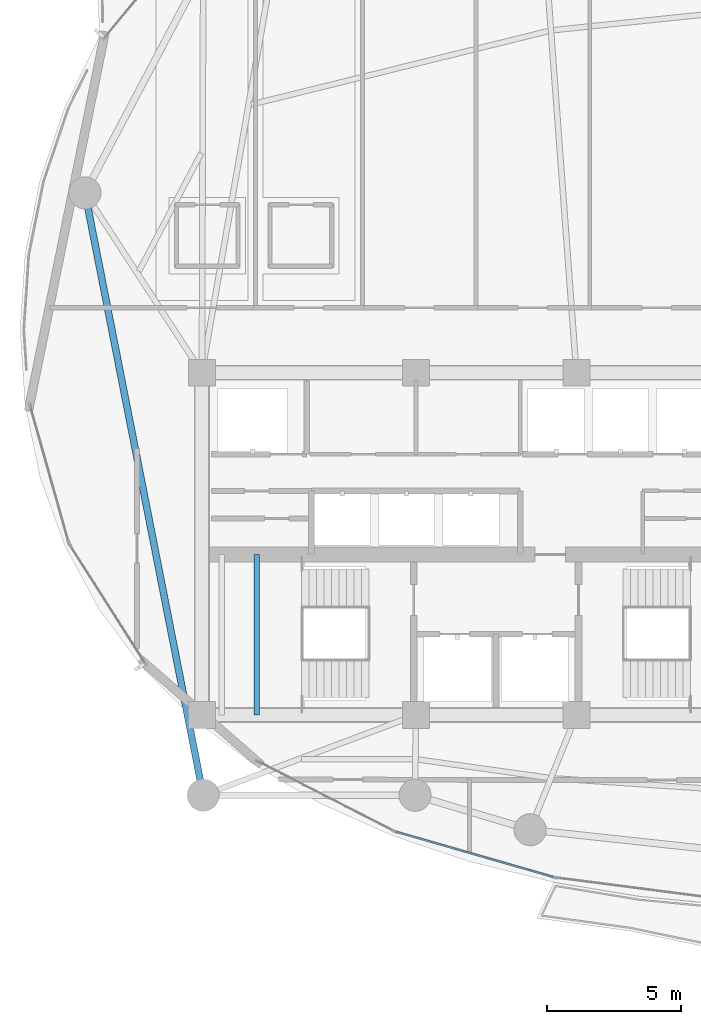
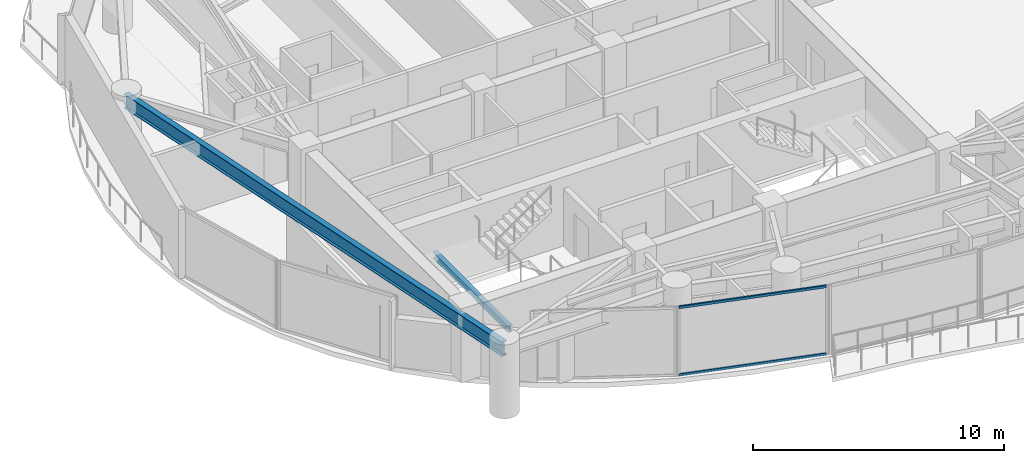
# One storey, part 4 of 28: 2 beams, 2 members, 1 element without a shape of its own.
"""IFC4 building model written with IfcOpenShell, lengths in metres."""

from ifc_helpers import new_model, si_unit, direction, frame, origin, origin_2d, place, context, subcontext, project, spatial, hollow_rectangle, i_section, extrude, material, layer, layer_set, material_profile, profile_set, type_object, element, aggregate, save


model = new_model("IFC4")

# Units and contexts
model_context = context("Model", 3, precision=1e-05, world=origin(), true_north=direction((0.0, 1.0)))
body_context = subcontext(model_context, "Body", "Model", "MODEL_VIEW")
ifc_project = project(units=[si_unit("LENGTHUNIT", "METRE"), si_unit("AREAUNIT", "SQUARE_METRE"), si_unit("VOLUMEUNIT", "CUBIC_METRE"), si_unit("PLANEANGLEUNIT", "RADIAN"), si_unit("MASSUNIT", "GRAM", prefix="KILO")], contexts=[model_context])

# Site, building, storey
site_placement = place(None, origin())
site = spatial("IfcSite", under=ifc_project, at=site_placement, CompositionType="ELEMENT")
building_placement = place(site_placement, origin())
building = spatial("IfcBuilding", under=site, at=building_placement, Name="Kazevale Care Tower and Concert Hall", CompositionType="ELEMENT")
storey_placement = place(building_placement, frame((0.0, 0.0, 109.800048828125)))
storey = spatial("IfcBuildingStorey", under=building, at=storey_placement, Name="L28", CompositionType="ELEMENT", Elevation=109.800048828125)

# Curtain wall, members
ifc_material_1 = material(Name="Aluminium 6063-T6 and Low-E Glass", Category="aluminium")
ifc_layer = layer(ifc_material_1, 0.179931640625)
ifc_layer_set = layer_set([ifc_layer], Name="Aluminium 6063-T6 and Low-E Glass")
curtain_wall_type = type_object("IfcCurtainWallType", Name="Sheltered Concave Balcony Curtain Wall CW-5", PredefinedType="NOTDEFINED", material=ifc_layer_set)
curtain_wall_placement = place(storey_placement, origin())
curtain_wall = element("IfcCurtainWall", 1, at=curtain_wall_placement, inside=storey, type_object=curtain_wall_type, Name="cw:L28:f08", PredefinedType="NOTDEFINED")
ifc_material_2 = material(Name="Aluminium 6063-T6", Category="aluminium")
ifc_material_profile_1 = material_profile(ifc_material_2, hollow_rectangle(XDim=0.074951171875, YDim=0.1201171875, WallThickness=0.00390625, at=origin_2d()), Name="ALU75x120x4")
ifc_profile_set_1 = profile_set([ifc_material_profile_1], Name="Aluminium 6063-T6")
member_type = type_object("IfcMemberType", Name="CW-5 Transom ALU75x120x4", PredefinedType="USERDEFINED", material=ifc_profile_set_1)
member_1_placement = place(storey_placement, frame((35.121826171875, 17.545654296875, 0.037353515625), z_axis=(-0.961067703236, 0.276312992451, 0.0), x_axis=(-0.276312992451, -0.961067703236, 0.0)))
member_1 = element("IfcMember", 2, at=member_1_placement, type_object=member_type, Name="CW-5 transom 1.1", ObjectType="TRANSOM", PredefinedType="USERDEFINED", context=body_context, shape_type="SweptSolid", body=[
    extrude(hollow_rectangle(XDim=0.074951171875, YDim=0.1201171875, WallThickness=0.00390625, at=origin_2d()), origin(), (0.0, 0.0, 1.0), 6.075439453125),
])
member_2_placement = place(storey_placement, frame((35.121826171875, 17.545654296875, 3.322509765625), z_axis=(-0.961067703236, 0.276312992451, 0.0), x_axis=(-0.276312992451, -0.961067703236, 0.0)))
member_2 = element("IfcMember", 3, at=member_2_placement, type_object=member_type, Name="CW-5 transom 1.2", ObjectType="TRANSOM", PredefinedType="USERDEFINED", context=body_context, shape_type="SweptSolid", body=[
    extrude(hollow_rectangle(XDim=0.074951171875, YDim=0.1201171875, WallThickness=0.00390625, at=origin_2d()), origin(), (0.0, 0.0, 1.0), 6.075439453125),
])
aggregate(curtain_wall, [member_1, member_2])

# Beams
ifc_material_3 = material(Name="Steel ASTM A572 Gr 50", Category="steel")
ifc_material_profile_2 = material_profile(ifc_material_3, i_section(OverallWidth=0.202880859375, OverallDepth=0.302978515625, WebThickness=0.007568359375, FlangeThickness=0.01318359375, at=origin_2d()), Name="W310x60")
ifc_profile_set_2 = profile_set([ifc_material_profile_2], Name="Steel ASTM A572 Gr 50")
beam_type_1 = type_object("IfcBeamType", Name="Stair & Balcony Trimmer W310x60", PredefinedType="BEAM", material=ifc_profile_set_2)
beam_1_placement = place(storey_placement, frame((24.050048828125, 23.60009765625, 1.448486328125), z_axis=(0.0, 1.0, 0.0), x_axis=(-1.0, 0.0, 0.0)))
element("IfcBeam", 4, at=beam_1_placement, inside=storey, type_object=beam_type_1, Name="beam:L28:sttrim:ST1b", PredefinedType="BEAM", context=body_context, shape_type="SweptSolid", body=[
    extrude(i_section(OverallWidth=0.202880859375, OverallDepth=0.302978515625, WebThickness=0.007568359375, FlangeThickness=0.01318359375, at=origin_2d()), origin(), (0.0, 0.0, 1.0), 6.0),
])
ifc_material_profile_3 = material_profile(ifc_material_3, i_section(OverallWidth=0.256103515625, OverallDepth=0.693115234375, WebThickness=0.014404296875, FlangeThickness=0.023681640625, at=origin_2d()), Name="W690x170")
ifc_profile_set_3 = profile_set([ifc_material_profile_3], Name="Steel ASTM A572 Gr 50")
beam_type_2 = type_object("IfcBeamType", Name="Waist Ring Beam W690x170", PredefinedType="BEAM", material=ifc_profile_set_3)
beam_2_placement = place(storey_placement, frame((17.6298828125, 43.1201171875, 3.013427734375), z_axis=(0.192602267784, -0.9812769061, 0.0), x_axis=(0.9812769061, 0.192602267784, 0.0)))
element("IfcBeam", 5, at=beam_2_placement, inside=storey, type_object=beam_type_2, Name="beam:L28:ring:09", PredefinedType="BEAM", context=body_context, shape_type="SweptSolid", body=[
    extrude(i_section(OverallWidth=0.256103515625, OverallDepth=0.693115234375, WebThickness=0.014404296875, FlangeThickness=0.023681640625, at=origin_2d()), origin(), (0.0, 0.0, 1.0), 22.94970703125),
])

save(model, "model.ifc")
